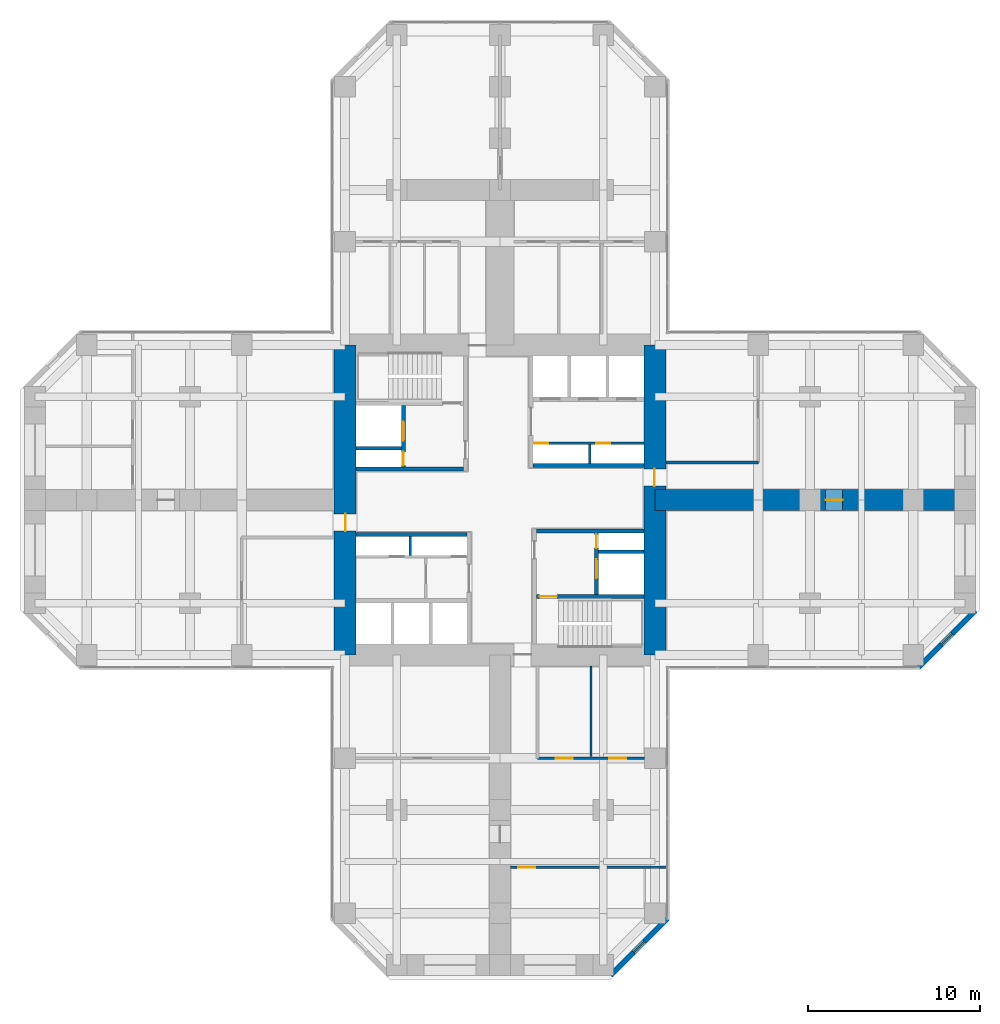
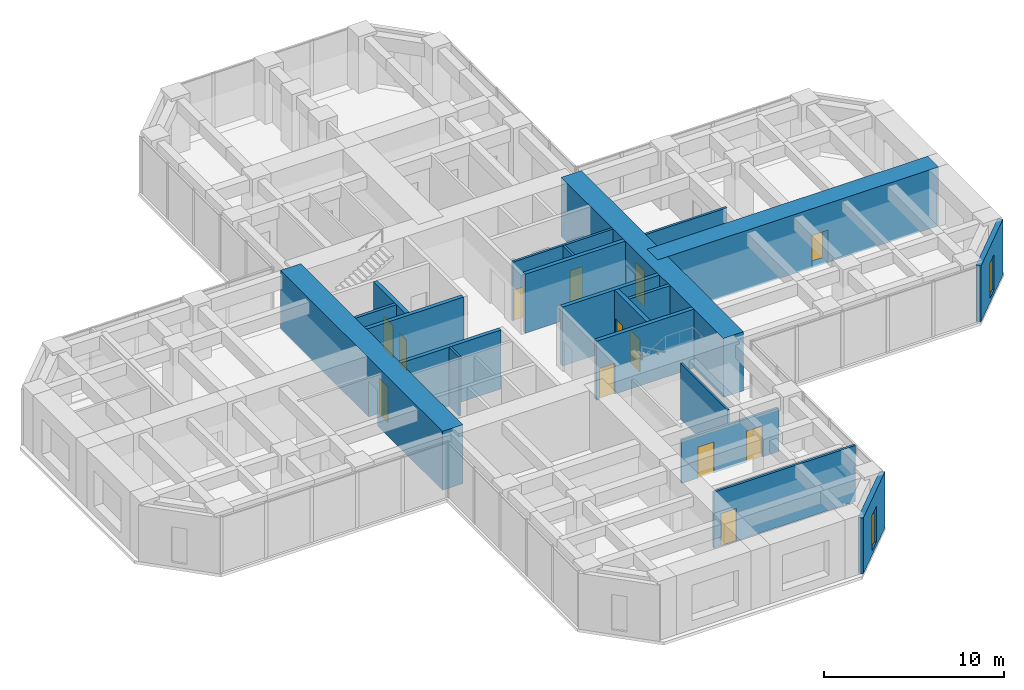
# One storey, part 9 of 12: 21 walls, 13 doors, 2 windows, 15 openings.
"""IFC4 building model written with IfcOpenShell, lengths in metres."""

from ifc_helpers import new_model, si_unit, direction, frame, frame_2d, origin, place, context, subcontext, project, spatial, rectangle, hollow_rectangle, extrude, material, layer, layer_set, constituent, constituent_set, type_object, element, fill, save


model = new_model("IFC4")

# Units and contexts
model_context = context("Model", 3, precision=1e-05, world=origin(), true_north=direction((0.0, 1.0)))
body_context = subcontext(model_context, "Body", "Model", "MODEL_VIEW")
ifc_project = project(units=[si_unit("LENGTHUNIT", "METRE"), si_unit("AREAUNIT", "SQUARE_METRE"), si_unit("VOLUMEUNIT", "CUBIC_METRE"), si_unit("PLANEANGLEUNIT", "RADIAN"), si_unit("MASSUNIT", "GRAM", prefix="KILO")], contexts=[model_context])

# Site, building, storey
site_placement = place(None, origin())
site = spatial("IfcSite", under=ifc_project, at=site_placement, CompositionType="ELEMENT")
building_placement = place(site_placement, origin())
building = spatial("IfcBuilding", under=site, at=building_placement, Name="Torre Cruceta", CompositionType="ELEMENT")
storey_placement = place(building_placement, frame((0.0, 0.0, 75.5)))
storey = spatial("IfcBuildingStorey", under=building, at=storey_placement, Name="L18", CompositionType="ELEMENT", Elevation=75.5)

# Walls
ifc_material_1 = material(Name="Concrete G60 (fck 60 MPa)", Category="concrete")
ifc_layer_1 = layer(ifc_material_1, 0.25)
ifc_layer_set_1 = layer_set([ifc_layer_1], Name="Concrete G60 (fck 60 MPa)")
wall_type_1 = type_object("IfcWallType", Name="CORE INNER WALL 250 G60", PredefinedType="SHEAR", material=ifc_layer_set_1)
wall_1_placement = place(storey_placement, frame((1.925048828125, 2.0, 0.0), z_axis=(0.0, 0.0, 1.0), x_axis=(1.0, 0.0, 0.0)))
element("IfcWall", 1, at=wall_1_placement, inside=storey, type_object=wall_type_1, Name="CW4 L18 NE-CV", PredefinedType="SHEAR", context=body_context, shape_type="SweptSolid", body=[
    extrude(rectangle(XDim=6.425048828125, YDim=0.25, at=frame_2d((3.21240234375, 0.0))), origin(), (0.0, 0.0, 1.0), 4.0),
])
wall_2_placement = place(storey_placement, frame((-2.125, 1.800048828125, 0.0), z_axis=(0.0, 0.0, 1.0), x_axis=(-1.0, 0.0, 0.0)))
element("IfcWall", 2, at=wall_2_placement, inside=storey, type_object=wall_type_1, Name="CW4 L18 NW-CV", PredefinedType="SHEAR", context=body_context, shape_type="SweptSolid", body=[
    extrude(rectangle(XDim=6.22509765625, YDim=0.25, at=frame_2d((3.112548828125, 0.0))), origin(), (0.0, 0.0, 1.0), 4.0),
])

# Wall, openings, doors
wall_3_placement = place(storey_placement, frame((-5.60009765625, 1.925048828125, 0.0), z_axis=(0.0, 0.0, 1.0), x_axis=(0.0, 1.0, 0.0)))
wall_3 = element("IfcWall", 3, at=wall_3_placement, inside=storey, type_object=wall_type_1, Name="CW4 L18 NW-FU", PredefinedType="SHEAR", context=body_context, shape_type="SweptSolid", body=[
    extrude(rectangle(XDim=3.550048828125, YDim=0.25, at=frame_2d((1.77490234375, 0.0))), origin(), (0.0, 0.0, 1.0), 4.0),
])
opening_1_placement = place(wall_3_placement, frame((1.52490234375, 0.0, 0.0)))
opening_1 = element("IfcOpeningElement", 4, at=opening_1_placement, cuts=wall_3, Name="Opening LD1", PredefinedType="OPENING", context=body_context, shape_type="SweptSolid", body=[
    extrude(rectangle(XDim=1.10009765625, YDim=2.199951171875, at=frame_2d((0.550048828125, 1.10009765625))), frame((0.0, 0.135009765625, 0.0), z_axis=(0.0, -1.0, 0.0), x_axis=(1.0, 0.0, 0.0)), (0.0, 0.0, 1.0), 0.27001953125),
])
opening_2_placement = place(wall_3_placement, frame((0.074951171875, 0.0, 0.0)))
opening_2 = element("IfcOpeningElement", 5, at=opening_2_placement, cuts=wall_3, Name="Opening D5", PredefinedType="OPENING", context=body_context, shape_type="SweptSolid", body=[
    extrude(rectangle(XDim=0.800048828125, YDim=2.10009765625, at=frame_2d((0.39990234375, 1.050048828125))), frame((0.0, 0.135009765625, 0.0), z_axis=(0.0, -1.0, 0.0), x_axis=(1.0, 0.0, 0.0)), (0.0, 0.0, 1.0), 0.27001953125),
])
ifc_material_2 = material(Name="Stainless steel 1.4401", Category="steel")
door_type_1 = type_object("IfcDoorType", Name="LIFT LANDING DOOR 1100X2200", OperationType="DOUBLE_DOOR_SLIDING", PredefinedType="DOOR", material=ifc_material_2)
door_1_placement = place(opening_1_placement, origin())
door_1 = element("IfcDoor", 6, at=door_1_placement, inside=storey, type_object=door_type_1, Name="Lift landing door FL1", OperationType="DOUBLE_DOOR_SLIDING", OverallHeight=2.199951171875, OverallWidth=1.10009765625, PredefinedType="DOOR", context=body_context, shape_type="SweptSolid", body=[
    extrude(rectangle(XDim=1.10009765625, YDim=2.199951171875, at=frame_2d((0.550048828125, 1.10009765625))), frame((0.0, 0.02490234375, 0.0), z_axis=(0.0, -1.0, 0.0), x_axis=(1.0, 0.0, 0.0)), (0.0, 0.0, 1.0), 0.050048828125),
])
fill(opening_1, door_1)
ifc_material_3 = material(Name="Steel DX51D", Category="steel")
ifc_constituent_1 = constituent(ifc_material_3, Name="Leaf and frame")
ifc_material_4 = material(Name="Polyester powder coating", Category="paint")
ifc_constituent_2 = constituent(ifc_material_4, Name="Finish")
ifc_constituent_set_1 = constituent_set(constituents=[ifc_constituent_1, ifc_constituent_2], Name="Steel fire door")
door_type_2 = type_object("IfcDoorType", Name="RISER ACCESS DOOR 800X2100", OperationType="SINGLE_SWING_LEFT", PredefinedType="DOOR", material=ifc_constituent_set_1)
door_2_placement = place(opening_2_placement, origin())
door_2 = element("IfcDoor", 7, at=door_2_placement, inside=storey, type_object=door_type_2, Name="D5 L18 NW-RISER", OperationType="SINGLE_SWING_LEFT", OverallHeight=2.10009765625, OverallWidth=0.800048828125, PredefinedType="DOOR", context=body_context, shape_type="SweptSolid", body=[
    extrude(rectangle(XDim=0.800048828125, YDim=2.10009765625, at=frame_2d((0.39990234375, 1.050048828125))), frame((0.0, 0.02490234375, 0.0), z_axis=(0.0, -1.0, 0.0), x_axis=(1.0, 0.0, 0.0)), (0.0, 0.0, 1.0), 0.050048828125),
])
fill(opening_2, door_2)

# Walls
wall_4_placement = place(storey_placement, frame((-1.925048828125, -2.0, 0.0), z_axis=(0.0, 0.0, 1.0), x_axis=(-1.0, 0.0, 0.0)))
element("IfcWall", 8, at=wall_4_placement, inside=storey, type_object=wall_type_1, Name="CW4 L18 SW-CV", PredefinedType="SHEAR", context=body_context, shape_type="SweptSolid", body=[
    extrude(rectangle(XDim=6.425048828125, YDim=0.25, at=frame_2d((3.21240234375, 0.0))), origin(), (0.0, 0.0, 1.0), 4.0),
])
wall_5_placement = place(storey_placement, frame((2.125, -1.800048828125, 0.0), z_axis=(0.0, 0.0, 1.0), x_axis=(1.0, 0.0, 0.0)))
element("IfcWall", 9, at=wall_5_placement, inside=storey, type_object=wall_type_1, Name="CW4 L18 SE-CV", PredefinedType="SHEAR", context=body_context, shape_type="SweptSolid", body=[
    extrude(rectangle(XDim=6.22509765625, YDim=0.25, at=frame_2d((3.112548828125, 0.0))), origin(), (0.0, 0.0, 1.0), 4.0),
])

# Wall, opening, door
wall_6_placement = place(storey_placement, frame((2.125, -5.60009765625, 0.0), z_axis=(0.0, 0.0, 1.0), x_axis=(1.0, 0.0, 0.0)))
wall_6 = element("IfcWall", 10, at=wall_6_placement, inside=storey, type_object=wall_type_1, Name="CW4 L18 SE-SV", PredefinedType="SHEAR", context=body_context, shape_type="SweptSolid", body=[
    extrude(rectangle(XDim=6.22509765625, YDim=0.25, at=frame_2d((3.112548828125, 0.0))), origin(), (0.0, 0.0, 1.0), 4.0),
])
opening_3_placement = place(wall_6_placement, frame((0.175048828125, 0.0, 0.0)))
opening_3 = element("IfcOpeningElement", 11, at=opening_3_placement, cuts=wall_6, Name="Opening D3", PredefinedType="OPENING", context=body_context, shape_type="SweptSolid", body=[
    extrude(rectangle(XDim=1.0, YDim=2.10009765625, at=frame_2d((0.5, 1.050048828125))), frame((0.0, 0.135009765625, 0.0), z_axis=(0.0, -1.0, 0.0), x_axis=(1.0, 0.0, 0.0)), (0.0, 0.0, 1.0), 0.27001953125),
])
ifc_material_5 = material(Name="Steel DX51D", Category="steel")
ifc_constituent_3 = constituent(ifc_material_5, Name="Leaf and frame")
ifc_material_6 = material(Name="Polyester powder coating", Category="paint")
ifc_constituent_4 = constituent(ifc_material_6, Name="Finish")
ifc_constituent_set_2 = constituent_set(constituents=[ifc_constituent_3, ifc_constituent_4], Name="Steel fire door")
door_type_3 = type_object("IfcDoorType", Name="FIRE DOOR 1000X2100", OperationType="SINGLE_SWING_LEFT", PredefinedType="DOOR", material=ifc_constituent_set_2)
door_3_placement = place(opening_3_placement, frame((1.0, 0.0, 0.0), z_axis=(0.0, 0.0, 1.0), x_axis=(-1.0, 0.0, 0.0)))
door_3 = element("IfcDoor", 12, at=door_3_placement, inside=storey, type_object=door_type_3, Name="D3 L18 SE-STAIR", OperationType="SINGLE_SWING_RIGHT", OverallHeight=2.10009765625, OverallWidth=1.0, PredefinedType="DOOR", context=body_context, shape_type="SweptSolid", body=[
    extrude(rectangle(XDim=1.0, YDim=2.10009765625, at=frame_2d((0.5, 1.050048828125))), frame((0.0, 0.025146484375, 0.0), z_axis=(0.0, -1.0, 0.0), x_axis=(1.0, 0.0, 0.0)), (0.0, 0.0, 1.0), 0.050048828125),
])
fill(opening_3, door_3)

# Wall, openings, doors
wall_7_placement = place(storey_placement, frame((5.60009765625, -1.925048828125, 0.0), z_axis=(0.0, 0.0, 1.0), x_axis=(0.0, -1.0, 0.0)))
wall_7 = element("IfcWall", 13, at=wall_7_placement, inside=storey, type_object=wall_type_1, Name="CW4 L18 SE-FU", PredefinedType="SHEAR", context=body_context, shape_type="SweptSolid", body=[
    extrude(rectangle(XDim=3.550048828125, YDim=0.25, at=frame_2d((1.77490234375, 0.0))), origin(), (0.0, 0.0, 1.0), 4.0),
])
opening_4_placement = place(wall_7_placement, frame((1.52490234375, 0.0, 0.0)))
opening_4 = element("IfcOpeningElement", 14, at=opening_4_placement, cuts=wall_7, Name="Opening LD1", PredefinedType="OPENING", context=body_context, shape_type="SweptSolid", body=[
    extrude(rectangle(XDim=1.10009765625, YDim=2.199951171875, at=frame_2d((0.550048828125, 1.10009765625))), frame((0.0, 0.135009765625, 0.0), z_axis=(0.0, -1.0, 0.0), x_axis=(1.0, 0.0, 0.0)), (0.0, 0.0, 1.0), 0.27001953125),
])
opening_5_placement = place(wall_7_placement, frame((0.074951171875, 0.0, 0.0)))
opening_5 = element("IfcOpeningElement", 15, at=opening_5_placement, cuts=wall_7, Name="Opening D5", PredefinedType="OPENING", context=body_context, shape_type="SweptSolid", body=[
    extrude(rectangle(XDim=0.800048828125, YDim=2.10009765625, at=frame_2d((0.39990234375, 1.050048828125))), frame((0.0, 0.135009765625, 0.0), z_axis=(0.0, -1.0, 0.0), x_axis=(1.0, 0.0, 0.0)), (0.0, 0.0, 1.0), 0.27001953125),
])
door_4_placement = place(opening_4_placement, origin())
door_4 = element("IfcDoor", 16, at=door_4_placement, inside=storey, type_object=door_type_1, Name="Lift landing door FL2", OperationType="DOUBLE_DOOR_SLIDING", OverallHeight=2.199951171875, OverallWidth=1.10009765625, PredefinedType="DOOR", context=body_context, shape_type="SweptSolid", body=[
    extrude(rectangle(XDim=1.10009765625, YDim=2.199951171875, at=frame_2d((0.550048828125, 1.10009765625))), frame((0.0, 0.02490234375, 0.0), z_axis=(0.0, -1.0, 0.0), x_axis=(1.0, 0.0, 0.0)), (0.0, 0.0, 1.0), 0.050048828125),
])
fill(opening_4, door_4)
door_5_placement = place(opening_5_placement, origin())
door_5 = element("IfcDoor", 17, at=door_5_placement, inside=storey, type_object=door_type_2, Name="D5 L18 SE-RISER", OperationType="SINGLE_SWING_LEFT", OverallHeight=2.10009765625, OverallWidth=0.800048828125, PredefinedType="DOOR", context=body_context, shape_type="SweptSolid", body=[
    extrude(rectangle(XDim=0.800048828125, YDim=2.10009765625, at=frame_2d((0.39990234375, 1.050048828125))), frame((0.0, 0.02490234375, 0.0), z_axis=(0.0, -1.0, 0.0), x_axis=(1.0, 0.0, 0.0)), (0.0, 0.0, 1.0), 0.050048828125),
])
fill(opening_5, door_5)

# Wall, opening, door
ifc_material_7 = material(Name="Concrete G60 (fck 60 MPa)", Category="concrete")
ifc_layer_2 = layer(ifc_material_7, 1.300048828125)
ifc_layer_set_2 = layer_set([ifc_layer_2], Name="Concrete G60 (fck 60 MPa)")
wall_type_2 = type_object("IfcWallType", Name="CORE WALL 1300 G60", PredefinedType="SHEAR", material=ifc_layer_set_2)
wall_8_placement = place(storey_placement, frame((9.0, -9.0, 0.0), z_axis=(0.0, 0.0, 1.0), x_axis=(0.0, 1.0, 0.0)))
wall_8 = element("IfcWall", 18, at=wall_8_placement, inside=storey, type_object=wall_type_2, Name="CW1 L18 CW-E", PredefinedType="SHEAR", context=body_context, shape_type="SweptSolid", body=[
    extrude(rectangle(XDim=18.0, YDim=1.300048828125, at=frame_2d((9.0, 0.0))), origin(), (0.0, 0.0, 1.0), 4.0),
])
opening_6_placement = place(wall_8_placement, frame((9.800048828125, 0.0, 0.0)))
opening_6 = element("IfcOpeningElement", 19, at=opening_6_placement, cuts=wall_8, Name="Opening D4", PredefinedType="OPENING", context=body_context, shape_type="SweptSolid", body=[
    extrude(rectangle(XDim=1.0, YDim=2.39990234375, at=frame_2d((0.5, 1.199951171875))), frame((0.0, 0.659912109375, 0.0), z_axis=(0.0, -1.0, 0.0), x_axis=(1.0, 0.0, 0.0)), (0.0, 0.0, 1.0), 1.320068359375),
])
ifc_material_8 = material(Name="Steel DX51D", Category="steel")
ifc_constituent_5 = constituent(ifc_material_8, Name="Leaf and frame")
ifc_material_9 = material(Name="Polyester powder coating", Category="paint")
ifc_constituent_6 = constituent(ifc_material_9, Name="Finish")
ifc_constituent_set_3 = constituent_set(constituents=[ifc_constituent_5, ifc_constituent_6], Name="Steel fire door")
door_type_4 = type_object("IfcDoorType", Name="CORE ARM DOOR 1000X2400", OperationType="SINGLE_SWING_RIGHT", PredefinedType="DOOR", material=ifc_constituent_set_3)
door_6_placement = place(opening_6_placement, frame((1.0, 0.0, 0.0), z_axis=(0.0, 0.0, 1.0), x_axis=(-1.0, 0.0, 0.0)))
door_6 = element("IfcDoor", 20, at=door_6_placement, inside=storey, type_object=door_type_4, Name="D4 L18 CW-E", OperationType="SINGLE_SWING_RIGHT", OverallHeight=2.39990234375, OverallWidth=1.0, PredefinedType="DOOR", context=body_context, shape_type="SweptSolid", body=[
    extrude(rectangle(XDim=1.0, YDim=2.39990234375, at=frame_2d((0.5, 1.199951171875))), frame((0.0, -0.005126953125, 0.0), z_axis=(0.0, -1.0, 0.0), x_axis=(1.0, 0.0, 0.0)), (0.0, 0.0, 1.0), 0.050048828125),
])
fill(opening_6, door_6)

wall_9_placement = place(storey_placement, frame((-9.0, 9.0, 0.0), z_axis=(0.0, 0.0, 1.0), x_axis=(0.0, -1.0, 0.0)))
wall_9 = element("IfcWall", 21, at=wall_9_placement, inside=storey, type_object=wall_type_2, Name="CW1 L18 CW-W", PredefinedType="SHEAR", context=body_context, shape_type="SweptSolid", body=[
    extrude(rectangle(XDim=18.0, YDim=1.300048828125, at=frame_2d((9.0, 0.0))), origin(), (0.0, 0.0, 1.0), 4.0),
])
opening_7_placement = place(wall_9_placement, frame((9.800048828125, 0.0, 0.0)))
opening_7 = element("IfcOpeningElement", 22, at=opening_7_placement, cuts=wall_9, Name="Opening D4", PredefinedType="OPENING", context=body_context, shape_type="SweptSolid", body=[
    extrude(rectangle(XDim=1.0, YDim=2.39990234375, at=frame_2d((0.5, 1.199951171875))), frame((0.0, 0.659912109375, 0.0), z_axis=(0.0, -1.0, 0.0), x_axis=(1.0, 0.0, 0.0)), (0.0, 0.0, 1.0), 1.320068359375),
])
door_7_placement = place(opening_7_placement, frame((1.0, 0.0, 0.0), z_axis=(0.0, 0.0, 1.0), x_axis=(-1.0, 0.0, 0.0)))
door_7 = element("IfcDoor", 23, at=door_7_placement, inside=storey, type_object=door_type_4, Name="D4 L18 CW-W", OperationType="SINGLE_SWING_RIGHT", OverallHeight=2.39990234375, OverallWidth=1.0, PredefinedType="DOOR", context=body_context, shape_type="SweptSolid", body=[
    extrude(rectangle(XDim=1.0, YDim=2.39990234375, at=frame_2d((0.5, 1.199951171875))), frame((0.0, -0.005126953125, 0.0), z_axis=(0.0, -1.0, 0.0), x_axis=(1.0, 0.0, 0.0)), (0.0, 0.0, 1.0), 0.050048828125),
])
fill(opening_7, door_7)

# Wall, opening, window
ifc_material_10 = material(Name="Concrete G30 (fck 30 MPa)", Category="concrete")
ifc_layer_3 = layer(ifc_material_10, 0.300048828125)
ifc_layer_set_3 = layer_set([ifc_layer_3], Name="Concrete G30 (fck 30 MPa)")
wall_type_3 = type_object("IfcWallType", Name="EXPOSED CONCRETE FACADE WALL 300", PredefinedType="SOLIDWALL", material=ifc_layer_set_3)
wall_10_placement = place(storey_placement, frame((24.29833984375, -9.719970703125, 0.0), z_axis=(0.0, 0.0, 1.0), x_axis=(0.707106781187, 0.707106781187, 0.0)))
wall_10 = element("IfcWall", 24, at=wall_10_placement, inside=storey, type_object=wall_type_3, Name="EW1 facade wall L18 E chamfer 01", PredefinedType="SOLIDWALL", context=body_context, shape_type="SweptSolid", body=[
    extrude(rectangle(XDim=4.66943359375, YDim=0.300048828125, at=frame_2d((2.334716796875, 0.0))), origin(), (0.0, 0.0, 1.0), 3.800048828125),
])
opening_8_placement = place(wall_10_placement, frame((1.884765625, 0.0, 0.300048828125)))
opening_8 = element("IfcOpeningElement", 25, at=opening_8_placement, cuts=wall_10, Name="Opening WN5", PredefinedType="OPENING", context=body_context, shape_type="SweptSolid", body=[
    extrude(rectangle(XDim=0.89990234375, YDim=2.39990234375, at=frame_2d((0.449951171875, 1.199951171875))), frame((0.0, 0.159912109375, 0.0), z_axis=(0.0, -1.0, 0.0), x_axis=(1.0, 0.0, 0.0)), (0.0, 0.0, 1.0), 0.320068359375),
])
ifc_material_11 = material(Name="Aluminium window frame", Category="aluminium")
ifc_constituent_7 = constituent(ifc_material_11, Name="Frame")
ifc_material_12 = material(Name="Laminated insulating glass unit, low-iron clear", Category="glass")
ifc_constituent_8 = constituent(ifc_material_12, Name="Glazing")
ifc_constituent_set_4 = constituent_set(constituents=[ifc_constituent_7, ifc_constituent_8], Name="Aluminium window")
window_type = type_object("IfcWindowType", Name="CHAMFER SLOT WINDOW 900X2400", PartitioningType="SINGLE_PANEL", PredefinedType="WINDOW", material=ifc_constituent_set_4)
window_1_placement = place(opening_8_placement, origin())
window_1 = element("IfcWindow", 26, at=window_1_placement, inside=storey, type_object=window_type, Name="WN5 L18 E 1", OverallHeight=2.39990234375, OverallWidth=0.89990234375, PartitioningType="SINGLE_PANEL", PredefinedType="WINDOW", context=body_context, shape_type="SweptSolid", body=[
    extrude(hollow_rectangle(XDim=0.89990234375, YDim=2.39990234375, WallThickness=0.06005859375, at=frame_2d((0.449951171875, 1.199951171875))), frame((0.0, 0.030029296875, 0.0), z_axis=(0.0, -1.0, 0.0), x_axis=(1.0, 0.0, 0.0)), (0.0, 0.0, 1.0), 0.06005859375),
    extrude(rectangle(XDim=0.77880859375, YDim=2.27880859375, at=frame_2d((0.449951171875, 1.199951171875))), frame((0.0, 0.030029296875, 0.0), z_axis=(0.0, -1.0, 0.0), x_axis=(1.0, 0.0, 0.0)), (0.0, 0.0, 1.0), 0.06005859375),
])
fill(opening_8, window_1)

wall_11_placement = place(storey_placement, frame((6.418212890625, -27.60009765625, 0.0), z_axis=(0.0, 0.0, 1.0), x_axis=(0.707106781187, 0.707106781187, 0.0)))
wall_11 = element("IfcWall", 27, at=wall_11_placement, inside=storey, type_object=wall_type_3, Name="EW1 facade wall L18 S chamfer 18", PredefinedType="SOLIDWALL", context=body_context, shape_type="SweptSolid", body=[
    extrude(rectangle(XDim=4.66943359375, YDim=0.300048828125, at=frame_2d((2.334716796875, 0.0))), origin(), (0.0, 0.0, 1.0), 3.800048828125),
])
opening_9_placement = place(wall_11_placement, frame((1.884765625, 0.0, 0.300048828125)))
opening_9 = element("IfcOpeningElement", 28, at=opening_9_placement, cuts=wall_11, Name="Opening WN5", PredefinedType="OPENING", context=body_context, shape_type="SweptSolid", body=[
    extrude(rectangle(XDim=0.89990234375, YDim=2.39990234375, at=frame_2d((0.449951171875, 1.199951171875))), frame((0.0, 0.159912109375, 0.0), z_axis=(0.0, -1.0, 0.0), x_axis=(1.0, 0.0, 0.0)), (0.0, 0.0, 1.0), 0.320068359375),
])
window_2_placement = place(opening_9_placement, origin())
window_2 = element("IfcWindow", 29, at=window_2_placement, inside=storey, type_object=window_type, Name="WN5 L18 S 1", OverallHeight=2.39990234375, OverallWidth=0.89990234375, PartitioningType="SINGLE_PANEL", PredefinedType="WINDOW", context=body_context, shape_type="SweptSolid", body=[
    extrude(hollow_rectangle(XDim=0.89990234375, YDim=2.39990234375, WallThickness=0.06005859375, at=frame_2d((0.449951171875, 1.199951171875))), frame((0.0, 0.030029296875, 0.0), z_axis=(0.0, -1.0, 0.0), x_axis=(1.0, 0.0, 0.0)), (0.0, 0.0, 1.0), 0.06005859375),
    extrude(rectangle(XDim=0.77880859375, YDim=2.27880859375, at=frame_2d((0.449951171875, 1.199951171875))), frame((0.0, 0.030029296875, 0.0), z_axis=(0.0, -1.0, 0.0), x_axis=(1.0, 0.0, 0.0)), (0.0, 0.0, 1.0), 0.06005859375),
])
fill(opening_9, window_2)

# Walls
ifc_material_13 = material(Name="Concrete G35 (fck 35 MPa)", Category="concrete")
ifc_layer_4 = layer(ifc_material_13, 0.199951171875)
ifc_layer_set_4 = layer_set([ifc_layer_4], Name="Concrete G35 (fck 35 MPa)")
wall_type_4 = type_object("IfcWallType", Name="LIFT SHAFT WALL 200", PredefinedType="PARTITIONING", material=ifc_layer_set_4)
for number, where, z_axis, x_axis, name in (
    (30, (-5.72509765625, 3.0, 0.0), (0.0, 0.0, 1.0), (-1.0, 0.0, 0.0), "SW1 L18 NW-FR"),
    (31, (5.72509765625, -3.0, 0.0), (0.0, 0.0, 1.0), (1.0, 0.0, 0.0), "SW1 L18 SE-FR"),
):
    element("IfcWall", number, at=place(storey_placement, frame(where, z_axis=z_axis, x_axis=x_axis)), inside=storey, type_object=wall_type_4, Name=name, PredefinedType="PARTITIONING", context=body_context, shape_type="SweptSolid", body=[
        extrude(rectangle(XDim=2.625, YDim=0.199951171875, at=frame_2d((1.3125, 0.0))), origin(), (0.0, 0.0, 1.0), 4.0),
    ])
ifc_material_14 = material(Name="Plasterboard on steel studs", Category="steel")
ifc_layer_5 = layer(ifc_material_14, 0.14990234375)
ifc_layer_set_5 = layer_set([ifc_layer_5], Name="Plasterboard on steel studs")
wall_type_5 = type_object("IfcWallType", Name="PARTITION 150", PredefinedType="PARTITIONING", material=ifc_layer_set_5)
wall_12_placement = place(storey_placement, frame((9.64990234375, 2.175048828125, 0.0), z_axis=(0.0, 0.0, 1.0), x_axis=(1.0, 0.0, 0.0)))
element("IfcWall", 32, at=wall_12_placement, inside=storey, type_object=wall_type_5, Name="PT1 L18-E-BSL", PredefinedType="PARTITIONING", context=body_context, shape_type="SweptSolid", body=[
    extrude(rectangle(XDim=5.35009765625, YDim=0.14990234375, at=frame_2d((2.675048828125, 0.0))), origin(), (0.0, 0.0, 1.0), 3.800048828125),
])

# Wall, openings, doors
wall_13_placement = place(storey_placement, frame((2.175048828125, -15.0, 0.0), z_axis=(0.0, 0.0, 1.0), x_axis=(1.0, 0.0, 0.0)))
wall_13 = element("IfcWall", 33, at=wall_13_placement, inside=storey, type_object=wall_type_5, Name="PT1 L18-S-BFL", PredefinedType="PARTITIONING", context=body_context, shape_type="SweptSolid", body=[
    extrude(rectangle(XDim=6.224853515625, YDim=0.14990234375, at=frame_2d((3.1123046875, 0.0))), origin(), (0.0, 0.0, 1.0), 2.949951171875),
])
opening_10_placement = place(wall_13_placement, frame((1.05615234375, 0.0, 0.0)))
opening_10 = element("IfcOpeningElement", 34, at=opening_10_placement, cuts=wall_13, Name="Opening D3", PredefinedType="OPENING", context=body_context, shape_type="SweptSolid", body=[
    extrude(rectangle(XDim=1.0, YDim=2.10009765625, at=frame_2d((0.5, 1.050048828125))), frame((0.0, 0.0849609375, 0.0), z_axis=(0.0, -1.0, 0.0), x_axis=(1.0, 0.0, 0.0)), (0.0, 0.0, 1.0), 0.169921875),
])
opening_11_placement = place(wall_13_placement, frame((4.168701171875, 0.0, 0.0)))
opening_11 = element("IfcOpeningElement", 35, at=opening_11_placement, cuts=wall_13, Name="Opening D3", PredefinedType="OPENING", context=body_context, shape_type="SweptSolid", body=[
    extrude(rectangle(XDim=1.0, YDim=2.10009765625, at=frame_2d((0.5, 1.050048828125))), frame((0.0, 0.0849609375, 0.0), z_axis=(0.0, -1.0, 0.0), x_axis=(1.0, 0.0, 0.0)), (0.0, 0.0, 1.0), 0.169921875),
])
door_8_placement = place(opening_10_placement, origin())
door_8 = element("IfcDoor", 36, at=door_8_placement, inside=storey, type_object=door_type_3, Name="D3 L18-S-BFL-D1", OperationType="SINGLE_SWING_LEFT", OverallHeight=2.10009765625, OverallWidth=1.0, PredefinedType="DOOR", context=body_context, shape_type="SweptSolid", body=[
    extrude(rectangle(XDim=1.0, YDim=2.10009765625, at=frame_2d((0.5, 1.050048828125))), frame((0.0, 0.02490234375, 0.0), z_axis=(0.0, -1.0, 0.0), x_axis=(1.0, 0.0, 0.0)), (0.0, 0.0, 1.0), 0.050048828125),
])
fill(opening_10, door_8)
door_9_placement = place(opening_11_placement, origin())
door_9 = element("IfcDoor", 37, at=door_9_placement, inside=storey, type_object=door_type_3, Name="D3 L18-S-BFL-D2", OperationType="SINGLE_SWING_LEFT", OverallHeight=2.10009765625, OverallWidth=1.0, PredefinedType="DOOR", context=body_context, shape_type="SweptSolid", body=[
    extrude(rectangle(XDim=1.0, YDim=2.10009765625, at=frame_2d((0.5, 1.050048828125))), frame((0.0, 0.02490234375, 0.0), z_axis=(0.0, -1.0, 0.0), x_axis=(1.0, 0.0, 0.0)), (0.0, 0.0, 1.0), 0.050048828125),
])
fill(opening_11, door_9)

# Wall, opening, door
wall_14_placement = place(storey_placement, frame((0.60009765625, -21.320068359375, 0.0), z_axis=(0.0, 0.0, 1.0), x_axis=(1.0, 0.0, 0.0)))
wall_14 = element("IfcWall", 38, at=wall_14_placement, inside=storey, type_object=wall_type_5, Name="PT1 L18-S-TWL", PredefinedType="PARTITIONING", context=body_context, shape_type="SweptSolid", body=[
    extrude(rectangle(XDim=9.079833984375, YDim=0.14990234375, at=frame_2d((4.5400390625, 0.0))), origin(), (0.0, 0.0, 1.0), 3.800048828125),
])
opening_12_placement = place(wall_14_placement, frame((0.449951171875, 0.0, 0.0)))
opening_12 = element("IfcOpeningElement", 39, at=opening_12_placement, cuts=wall_14, Name="Opening D14", PredefinedType="OPENING", context=body_context, shape_type="SweptSolid", body=[
    extrude(rectangle(XDim=1.0, YDim=2.199951171875, at=frame_2d((0.5, 1.10009765625))), frame((0.0, 0.0849609375, 0.0), z_axis=(0.0, -1.0, 0.0), x_axis=(1.0, 0.0, 0.0)), (0.0, 0.0, 1.0), 0.169921875),
])
ifc_material_15 = material(Name="Steel DX51D", Category="steel")
ifc_constituent_9 = constituent(ifc_material_15, Name="Leaf and frame")
ifc_material_16 = material(Name="Polyester powder coating", Category="paint")
ifc_constituent_10 = constituent(ifc_material_16, Name="Finish")
ifc_material_17 = material(Name="Fire-resisting glass", Category="glass")
ifc_constituent_11 = constituent(ifc_material_17, Name="Vision panel")
ifc_constituent_set_5 = constituent_set(constituents=[ifc_constituent_9, ifc_constituent_10, ifc_constituent_11], Name="Steel fire door with vision panel")
door_type_5 = type_object("IfcDoorType", Name="FIRE DOOR VISION PANEL 1000X2200", OperationType="SINGLE_SWING_RIGHT", PredefinedType="DOOR", material=ifc_constituent_set_5)
door_10_placement = place(opening_12_placement, frame((1.0, 0.0, 0.0), z_axis=(0.0, 0.0, 1.0), x_axis=(-1.0, 0.0, 0.0)))
door_10 = element("IfcDoor", 40, at=door_10_placement, inside=storey, type_object=door_type_5, Name="D14 L18-S-TWL-D1", OperationType="SINGLE_SWING_RIGHT", OverallHeight=2.199951171875, OverallWidth=1.0, PredefinedType="DOOR", context=body_context, shape_type="SweptSolid", body=[
    extrude(rectangle(XDim=1.0, YDim=2.199951171875, at=frame_2d((0.5, 1.10009765625))), frame((0.0, 0.025146484375, 0.0), z_axis=(0.0, -1.0, 0.0), x_axis=(1.0, 0.0, 0.0)), (0.0, 0.0, 1.0), 0.050048828125),
])
fill(opening_12, door_10)

# Wall, openings, doors
ifc_material_18 = material(Name="Concrete block masonry", Category="masonry")
ifc_layer_6 = layer(ifc_material_18, 0.14990234375)
ifc_layer_set_6 = layer_set([ifc_layer_6], Name="Concrete block masonry")
wall_type_6 = type_object("IfcWallType", Name="RISER WALL 150", PredefinedType="PARTITIONING", material=ifc_layer_set_6)
wall_15_placement = place(storey_placement, frame((1.925048828125, 3.300048828125, 0.0), z_axis=(0.0, 0.0, 1.0), x_axis=(1.0, 0.0, 0.0)))
wall_15 = element("IfcWall", 41, at=wall_15_placement, inside=storey, type_object=wall_type_6, Name="SW7 L18 NE-RV", PredefinedType="PARTITIONING", context=body_context, shape_type="SweptSolid", body=[
    extrude(rectangle(XDim=6.425048828125, YDim=0.14990234375, at=frame_2d((3.21240234375, 0.0))), origin(), (0.0, 0.0, 1.0), 4.0),
])
opening_13_placement = place(wall_15_placement, frame((0.074951171875, 0.0, 0.0)))
opening_13 = element("IfcOpeningElement", 42, at=opening_13_placement, cuts=wall_15, Name="Opening D5", PredefinedType="OPENING", context=body_context, shape_type="SweptSolid", body=[
    extrude(rectangle(XDim=0.800048828125, YDim=2.10009765625, at=frame_2d((0.39990234375, 1.050048828125))), frame((0.0, 0.0849609375, 0.0), z_axis=(0.0, -1.0, 0.0), x_axis=(1.0, 0.0, 0.0)), (0.0, 0.0, 1.0), 0.169921875),
])
opening_14_placement = place(wall_15_placement, frame((3.675048828125, 0.0, 0.0)))
opening_14 = element("IfcOpeningElement", 43, at=opening_14_placement, cuts=wall_15, Name="Opening D5", PredefinedType="OPENING", context=body_context, shape_type="SweptSolid", body=[
    extrude(rectangle(XDim=0.800048828125, YDim=2.10009765625, at=frame_2d((0.39990234375, 1.050048828125))), frame((0.0, 0.0849609375, 0.0), z_axis=(0.0, -1.0, 0.0), x_axis=(1.0, 0.0, 0.0)), (0.0, 0.0, 1.0), 0.169921875),
])
door_11_placement = place(opening_13_placement, frame((0.800048828125, 0.0, 0.0), z_axis=(0.0, 0.0, 1.0), x_axis=(-1.0, 0.0, 0.0)))
door_11 = element("IfcDoor", 44, at=door_11_placement, inside=storey, type_object=door_type_2, Name="D5 L18 NE-RISER1", OperationType="SINGLE_SWING_RIGHT", OverallHeight=2.10009765625, OverallWidth=0.800048828125, PredefinedType="DOOR", context=body_context, shape_type="SweptSolid", body=[
    extrude(rectangle(XDim=0.800048828125, YDim=2.10009765625, at=frame_2d((0.400146484375, 1.050048828125))), frame((0.0, 0.025146484375, 0.0), z_axis=(0.0, -1.0, 0.0), x_axis=(1.0, 0.0, 0.0)), (0.0, 0.0, 1.0), 0.050048828125),
])
fill(opening_13, door_11)
door_12_placement = place(opening_14_placement, frame((0.800048828125, 0.0, 0.0), z_axis=(0.0, 0.0, 1.0), x_axis=(-1.0, 0.0, 0.0)))
door_12 = element("IfcDoor", 45, at=door_12_placement, inside=storey, type_object=door_type_2, Name="D5 L18 NE-RISER2", OperationType="SINGLE_SWING_RIGHT", OverallHeight=2.10009765625, OverallWidth=0.800048828125, PredefinedType="DOOR", context=body_context, shape_type="SweptSolid", body=[
    extrude(rectangle(XDim=0.800048828125, YDim=2.10009765625, at=frame_2d((0.400146484375, 1.050048828125))), frame((0.0, 0.025146484375, 0.0), z_axis=(0.0, -1.0, 0.0), x_axis=(1.0, 0.0, 0.0)), (0.0, 0.0, 1.0), 0.050048828125),
])
fill(opening_14, door_12)

# Walls
for number, where, z_axis, x_axis, name in (
    (46, (5.199951171875, 2.125, 0.0), (0.0, 0.0, 1.0), (0.0, 1.0, 0.0), "SW7 L18 NE-RU"),
    (47, (-5.199951171875, -2.125, 0.0), (0.0, 0.0, 1.0), (0.0, -1.0, 0.0), "SW7 L18 SW-RU"),
):
    element("IfcWall", number, at=place(storey_placement, frame(where, z_axis=z_axis, x_axis=x_axis)), inside=storey, type_object=wall_type_6, Name=name, PredefinedType="PARTITIONING", context=body_context, shape_type="SweptSolid", body=[
        extrude(rectangle(XDim=1.10009765625, YDim=0.14990234375, at=frame_2d((0.550048828125, 0.0))), origin(), (0.0, 0.0, 1.0), 4.0),
    ])

# Wall, opening, door
ifc_material_19 = material(Name="Concrete G60 (fck 60 MPa)", Category="concrete")
ifc_layer_7 = layer(ifc_material_19, 1.199951171875)
ifc_layer_set_7 = layer_set([ifc_layer_7], Name="Concrete G60 (fck 60 MPa)")
wall_type_7 = type_object("IfcWallType", Name="SPINE WALL 1200 G60", PredefinedType="SHEAR", material=ifc_layer_set_7)
wall_16_placement = place(storey_placement, frame((9.0, 0.0, 0.0), z_axis=(0.0, 0.0, 1.0), x_axis=(1.0, 0.0, 0.0)))
wall_16 = element("IfcWall", 48, at=wall_16_placement, inside=storey, type_object=wall_type_7, Name="SW3 spine wall L18 E", PredefinedType="SHEAR", context=body_context, shape_type="SweptSolid", body=[
    extrude(rectangle(XDim=18.0, YDim=1.199951171875, at=frame_2d((9.0, 0.0))), origin(), (0.0, 0.0, 1.0), 4.0),
])
opening_15_placement = place(wall_16_placement, frame((9.89990234375, 0.0, 0.0)))
opening_15 = element("IfcOpeningElement", 49, at=opening_15_placement, cuts=wall_16, Name="Opening D14", PredefinedType="OPENING", context=body_context, shape_type="SweptSolid", body=[
    extrude(rectangle(XDim=1.0, YDim=2.199951171875, at=frame_2d((0.5, 1.10009765625))), frame((0.0, 0.60986328125, 0.0), z_axis=(0.0, -1.0, 0.0), x_axis=(1.0, 0.0, 0.0)), (0.0, 0.0, 1.0), 1.219970703125),
])
door_13_placement = place(opening_15_placement, origin())
door_13 = element("IfcDoor", 50, at=door_13_placement, inside=storey, type_object=door_type_5, Name="D14 L18-E-SP1", OperationType="SINGLE_SWING_RIGHT", OverallHeight=2.199951171875, OverallWidth=1.0, PredefinedType="DOOR", context=body_context, shape_type="SweptSolid", body=[
    extrude(rectangle(XDim=1.0, YDim=2.199951171875, at=frame_2d((0.5, 1.10009765625))), frame((0.0, 0.02490234375, 0.0), z_axis=(0.0, -1.0, 0.0), x_axis=(1.0, 0.0, 0.0)), (0.0, 0.0, 1.0), 0.050048828125),
])
fill(opening_15, door_13)

# Wall
ifc_material_20 = material(Name="Plasterboard on steel studs", Category="steel")
ifc_layer_8 = layer(ifc_material_20, 0.1201171875)
ifc_layer_set_8 = layer_set([ifc_layer_8], Name="Plasterboard on steel studs")
wall_type_8 = type_object("IfcWallType", Name="WC PARTITION 120", PredefinedType="PLUMBINGWALL", material=ifc_layer_set_8)
wall_17_placement = place(storey_placement, frame((5.28759765625, -9.64990234375, 0.0), z_axis=(0.0, 0.0, 1.0), x_axis=(0.0, -1.0, 0.0)))
element("IfcWall", 51, at=wall_17_placement, inside=storey, type_object=wall_type_8, Name="PT5 L18-S-BDL1", PredefinedType="PLUMBINGWALL", context=body_context, shape_type="SweptSolid", body=[
    extrude(rectangle(XDim=5.25, YDim=0.1201171875, at=frame_2d((2.625, 0.0))), origin(), (0.0, 0.0, 1.0), 3.800048828125),
])

save(model, "model.ifc")
